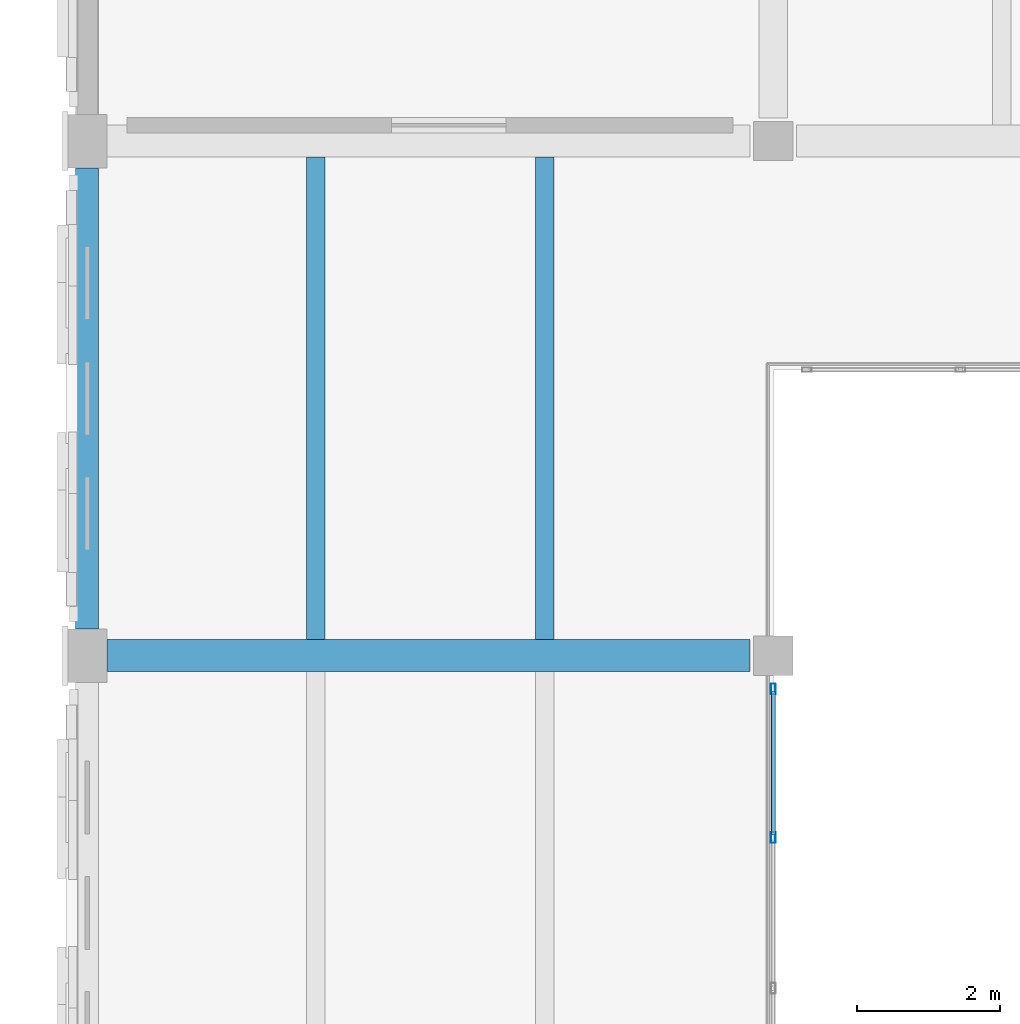
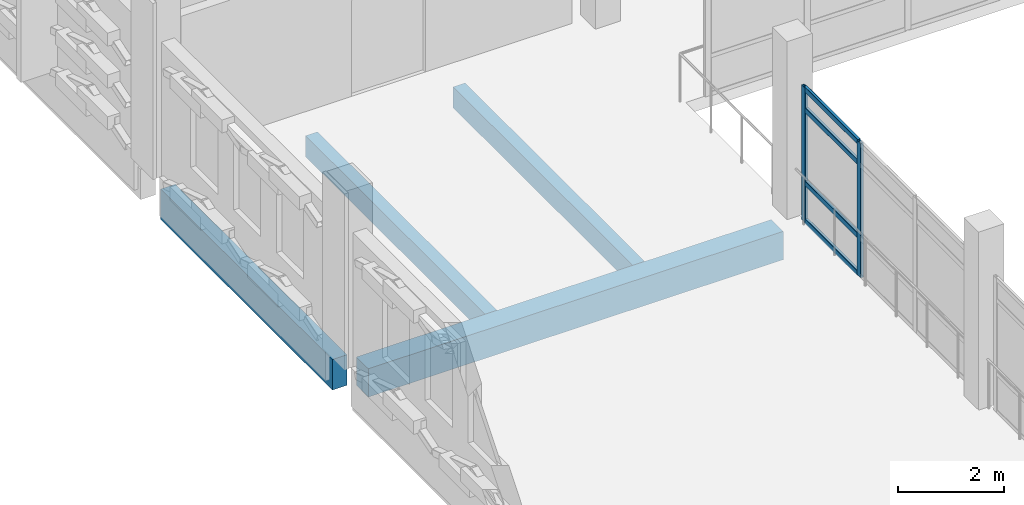
# One storey, part 16 of 50: 6 members, 4 beams, 1 element without a shape of its own.
"""IFC4 building model written with IfcOpenShell, lengths in metres."""

from ifc_helpers import new_model, si_unit, direction, frame, origin, origin_2d, place, context, subcontext, project, spatial, rectangle, hollow_rectangle, extrude, material, layer, layer_set, material_profile, profile_set, type_object, element, aggregate, save


model = new_model("IFC4")

# Units and contexts
model_context = context("Model", 3, precision=1e-05, world=origin(), true_north=direction((0.0, 1.0)))
body_context = subcontext(model_context, "Body", "Model", "MODEL_VIEW")
ifc_project = project(units=[si_unit("LENGTHUNIT", "METRE"), si_unit("AREAUNIT", "SQUARE_METRE"), si_unit("VOLUMEUNIT", "CUBIC_METRE"), si_unit("PLANEANGLEUNIT", "RADIAN"), si_unit("MASSUNIT", "GRAM", prefix="KILO")], contexts=[model_context])

# Site, building, storey
site_placement = place(None, origin())
site = spatial("IfcSite", under=ifc_project, at=site_placement, CompositionType="ELEMENT")
building_placement = place(site_placement, origin())
building = spatial("IfcBuilding", under=site, at=building_placement, Name="Asteropetra Specialist Clinic", CompositionType="ELEMENT")
storey_placement = place(building_placement, frame((0.0, 0.0, 16.659912109375)))
storey = spatial("IfcBuildingStorey", under=building, at=storey_placement, Name="L04", CompositionType="ELEMENT", Elevation=16.659912109375)

# Beam
ifc_material_1 = material(Name="Concrete C35/45", Category="concrete")
ifc_material_profile_1 = material_profile(ifc_material_1, rectangle(XDim=0.449951171875, YDim=0.64990234375, at=origin_2d()), Name="RCB 450x650")
ifc_profile_set_1 = profile_set([ifc_material_profile_1], Name="Concrete C35/45")
beam_type_1 = type_object("IfcBeamType", Name="BM-RC450x650", PredefinedType="BEAM", material=ifc_profile_set_1)
beam_1_placement = place(storey_placement, frame((0.27490234375, 91.199951171875, -0.60498046875), z_axis=(1.0, 0.0, 0.0), x_axis=(0.0, 1.0, 0.0)))
element("IfcBeam", 1, at=beam_1_placement, inside=storey, type_object=beam_type_1, Name="Beam BBM06-1777", PredefinedType="BEAM", context=body_context, shape_type="SweptSolid", body=[
    extrude(rectangle(XDim=0.449951171875, YDim=0.64990234375, at=origin_2d()), origin(), (0.0, 0.0, 1.0), 9.0),
])

# Curtain wall, members
ifc_material_2 = material(Name="Aluminium and low-E glass", Category="aluminium")
ifc_layer = layer(ifc_material_2, 0.14990234375)
ifc_layer_set = layer_set([ifc_layer], Name="Aluminium and low-E glass")
curtain_wall_type = type_object("IfcCurtainWallType", Name="CW-SYS-05", PredefinedType="USERDEFINED", material=ifc_layer_set)
curtain_wall_placement = place(storey_placement, origin())
curtain_wall = element("IfcCurtainWall", 2, at=curtain_wall_placement, inside=storey, type_object=curtain_wall_type, Name="Curtain Wall CW-055", ObjectType="UNITISED CURTAIN WALL", PredefinedType="USERDEFINED")
ifc_material_3 = material(Name="Aluminium 6063-T6", Category="aluminium")
ifc_material_profile_2 = material_profile(ifc_material_3, hollow_rectangle(XDim=0.06494140625, YDim=0.14990234375, WallThickness=0.00390625, InnerFilletRadius=0.00390625, OuterFilletRadius=0.008056640625, at=origin_2d()), Name="MUL 150x65x4.0")
ifc_profile_set_2 = profile_set([ifc_material_profile_2], Name="Aluminium 6063-T6")
member_type_1 = type_object("IfcMemberType", Name="CWM-150x65", PredefinedType="MULLION", material=ifc_profile_set_2)
member_1_placement = place(storey_placement, frame((9.60009765625, 90.732421875, 0.0), z_axis=(0.0, 0.0, 1.0), x_axis=(1.0, 0.0, 0.0)))
member_1 = element("IfcMember", 3, at=member_1_placement, type_object=member_type_1, Name="CW-055 mullion 1", PredefinedType="MULLION", context=body_context, shape_type="SweptSolid", body=[
    extrude(hollow_rectangle(XDim=0.06494140625, YDim=0.14990234375, WallThickness=0.00390625, InnerFilletRadius=0.00390625, OuterFilletRadius=0.008056640625, at=origin_2d()), origin(), (0.0, 0.0, 1.0), 3.080078125),
])
member_2_placement = place(storey_placement, frame((9.60009765625, 88.655029296875, 0.0), z_axis=(0.0, 0.0, 1.0), x_axis=(1.0, 0.0, 0.0)))
member_2 = element("IfcMember", 4, at=member_2_placement, type_object=member_type_1, Name="CW-055 mullion 2", PredefinedType="MULLION", context=body_context, shape_type="SweptSolid", body=[
    extrude(hollow_rectangle(XDim=0.06494140625, YDim=0.14990234375, WallThickness=0.00390625, InnerFilletRadius=0.00390625, OuterFilletRadius=0.008056640625, at=origin_2d()), origin(), (0.0, 0.0, 1.0), 3.080078125),
])
ifc_material_4 = material(Name="Aluminium 6063-T6", Category="aluminium")
ifc_material_profile_3 = material_profile(ifc_material_4, hollow_rectangle(XDim=0.06494140625, YDim=0.1201171875, WallThickness=0.00390625, InnerFilletRadius=0.00390625, OuterFilletRadius=0.008056640625, at=origin_2d()), Name="TRN 120x65x4.0")
ifc_profile_set_3 = profile_set([ifc_material_profile_3], Name="Aluminium 6063-T6")
member_type_2 = type_object("IfcMemberType", Name="CWT-120x65", PredefinedType="USERDEFINED", material=ifc_profile_set_3)
member_3_placement = place(storey_placement, frame((9.60009765625, 90.699951171875, 0.032470703125), z_axis=(0.0, -1.0, 0.0), x_axis=(1.0, 0.0, 0.0)))
member_3 = element("IfcMember", 5, at=member_3_placement, type_object=member_type_2, Name="CW-055 transom 1.1", ObjectType="TRANSOM", PredefinedType="USERDEFINED", context=body_context, shape_type="SweptSolid", body=[
    extrude(hollow_rectangle(XDim=0.06494140625, YDim=0.1201171875, WallThickness=0.00390625, InnerFilletRadius=0.00390625, OuterFilletRadius=0.008056640625, at=origin_2d()), origin(), (0.0, 0.0, 1.0), 2.012451171875),
])
member_4_placement = place(storey_placement, frame((9.60009765625, 90.699951171875, 0.900146484375), z_axis=(0.0, -1.0, 0.0), x_axis=(1.0, 0.0, 0.0)))
member_4 = element("IfcMember", 6, at=member_4_placement, type_object=member_type_2, Name="CW-055 transom 1.2", ObjectType="TRANSOM", PredefinedType="USERDEFINED", context=body_context, shape_type="SweptSolid", body=[
    extrude(hollow_rectangle(XDim=0.06494140625, YDim=0.1201171875, WallThickness=0.00390625, InnerFilletRadius=0.00390625, OuterFilletRadius=0.008056640625, at=origin_2d()), origin(), (0.0, 0.0, 1.0), 2.012451171875),
])
member_5_placement = place(storey_placement, frame((9.60009765625, 90.699951171875, 2.580078125), z_axis=(0.0, -1.0, 0.0), x_axis=(1.0, 0.0, 0.0)))
member_5 = element("IfcMember", 7, at=member_5_placement, type_object=member_type_2, Name="CW-055 transom 1.3", ObjectType="TRANSOM", PredefinedType="USERDEFINED", context=body_context, shape_type="SweptSolid", body=[
    extrude(hollow_rectangle(XDim=0.06494140625, YDim=0.1201171875, WallThickness=0.00390625, InnerFilletRadius=0.00390625, OuterFilletRadius=0.008056640625, at=origin_2d()), origin(), (0.0, 0.0, 1.0), 2.012451171875),
])
member_6_placement = place(storey_placement, frame((9.60009765625, 90.699951171875, 3.047607421875), z_axis=(0.0, -1.0, 0.0), x_axis=(1.0, 0.0, 0.0)))
member_6 = element("IfcMember", 8, at=member_6_placement, type_object=member_type_2, Name="CW-055 transom 1.4", ObjectType="TRANSOM", PredefinedType="USERDEFINED", context=body_context, shape_type="SweptSolid", body=[
    extrude(hollow_rectangle(XDim=0.06494140625, YDim=0.1201171875, WallThickness=0.00390625, InnerFilletRadius=0.00390625, OuterFilletRadius=0.008056640625, at=origin_2d()), origin(), (0.0, 0.0, 1.0), 2.012451171875),
])
aggregate(curtain_wall, [member_1, member_2, member_3, member_4, member_5, member_6])

# Beams
ifc_material_5 = material(Name="Concrete C35/45", Category="concrete")
ifc_material_profile_4 = material_profile(ifc_material_5, rectangle(XDim=0.260009765625, YDim=0.47998046875, at=origin_2d()), Name="RCJ 260x480")
ifc_profile_set_4 = profile_set([ifc_material_profile_4], Name="Concrete C35/45")
beam_type_2 = type_object("IfcBeamType", Name="JST-RC260x480", PredefinedType="JOIST", material=ifc_profile_set_4)
for number, where, z_axis, x_axis, name in (
    (9, (3.199951171875, 91.425048828125, -0.52001953125), (0.0, 1.0, 0.0), (-1.0, 0.0, 0.0), "Joist JJST02-1805"),
    (10, (6.39990234375, 91.425048828125, -0.52001953125), (0.0, 1.0, 0.0), (-1.0, 0.0, 0.0), "Joist JJST02-1806"),
):
    element("IfcBeam", number, at=place(storey_placement, frame(where, z_axis=z_axis, x_axis=x_axis)), inside=storey, type_object=beam_type_2, Name=name, PredefinedType="JOIST", context=body_context, shape_type="SweptSolid", body=[
        extrude(rectangle(XDim=0.260009765625, YDim=0.47998046875, at=origin_2d()), origin(), (0.0, 0.0, 1.0), 6.75),
    ])
ifc_material_6 = material(Name="Concrete C35/45", Category="concrete")
ifc_material_profile_5 = material_profile(ifc_material_6, rectangle(XDim=0.320068359375, YDim=0.699951171875, at=origin_2d()), Name="RCS 320x700")
ifc_profile_set_5 = profile_set([ifc_material_profile_5], Name="Concrete C35/45")
beam_type_3 = type_object("IfcBeamType", Name="SPN-RC320x700", PredefinedType="SPANDREL", material=ifc_profile_set_5)
beam_2_placement = place(storey_placement, frame((0.0, 91.574951171875, -0.6298828125), z_axis=(0.0, 1.0, 0.0), x_axis=(-1.0, 0.0, 0.0)))
element("IfcBeam", 11, at=beam_2_placement, inside=storey, type_object=beam_type_3, Name="Beam BSPN02-1803", PredefinedType="SPANDREL", context=body_context, shape_type="SweptSolid", body=[
    extrude(rectangle(XDim=0.320068359375, YDim=0.699951171875, at=origin_2d()), origin(), (0.0, 0.0, 1.0), 6.449951171875),
])

save(model, "model.ifc")
